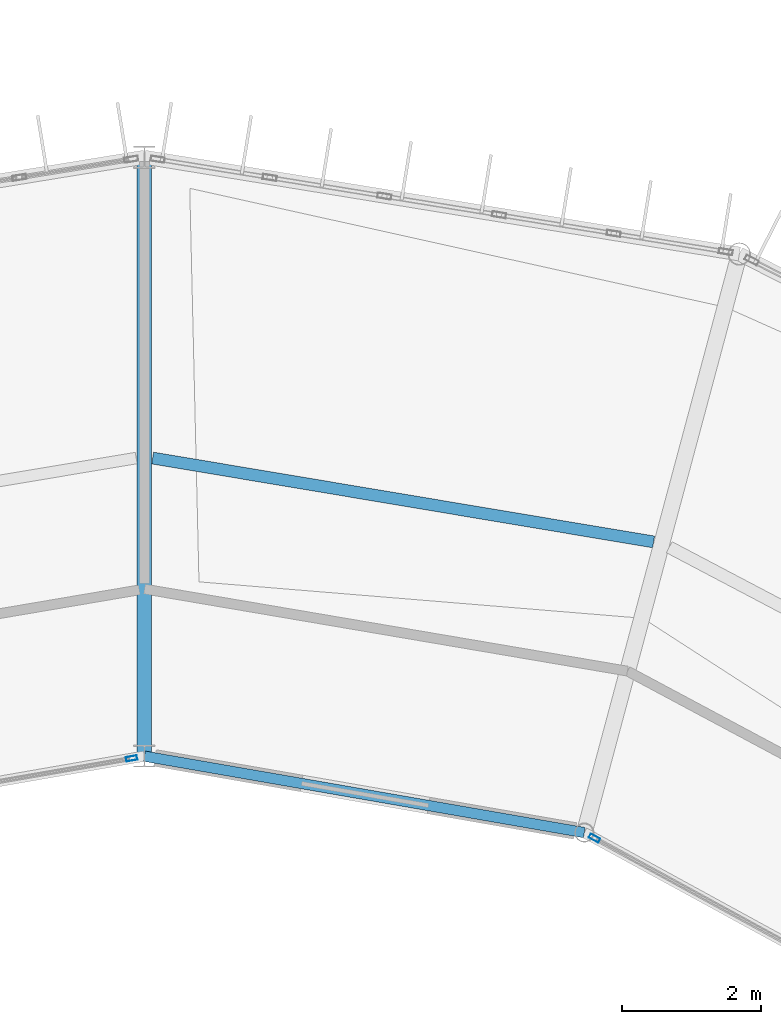
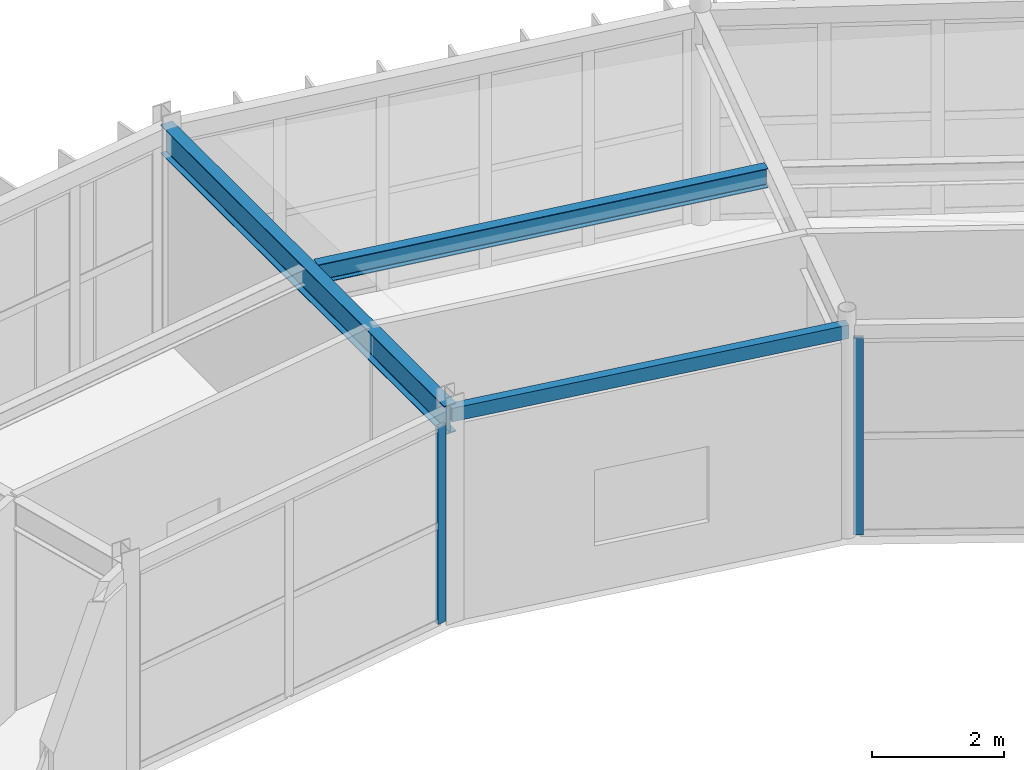
# One storey, part 86 of 148: 3 beams, 2 members, 2 elements without a shape of their own.
"""IFC4 building model written with IfcOpenShell, lengths in metres."""

from ifc_helpers import new_model, si_unit, direction, frame, origin, origin_2d, place, context, subcontext, project, spatial, hollow_rectangle, i_section, extrude, material, material_profile, profile_set, type_object, element, aggregate, save


model = new_model("IFC4")

# Units and contexts
model_context = context("Model", 3, precision=1e-05, world=origin(), true_north=direction((0.0, 1.0)))
body_context = subcontext(model_context, "Body", "Model", "MODEL_VIEW")
ifc_project = project(units=[si_unit("LENGTHUNIT", "METRE"), si_unit("AREAUNIT", "SQUARE_METRE"), si_unit("VOLUMEUNIT", "CUBIC_METRE"), si_unit("PLANEANGLEUNIT", "RADIAN"), si_unit("MASSUNIT", "GRAM", prefix="KILO")], contexts=[model_context])

# Site, building, storey
site_placement = place(None, origin())
site = spatial("IfcSite", under=ifc_project, at=site_placement, CompositionType="ELEMENT")
building_placement = place(site_placement, origin())
building = spatial("IfcBuilding", under=site, at=building_placement, Name="Karori Crest Natural Sciences Institute", CompositionType="ELEMENT")
storey_placement = place(building_placement, frame((0.0, 0.0, 4.89990234375)))
storey = spatial("IfcBuildingStorey", under=building, at=storey_placement, Name="L01", CompositionType="ELEMENT", Elevation=4.89990234375)

# Beams
ifc_material_1 = material(Name="Structural steel AS/NZS 3679.1 Grade 350", Category="steel")
ifc_material_profile_1 = material_profile(ifc_material_1, i_section(OverallWidth=0.208984375, OverallDepth=0.532958984375, WebThickness=0.01025390625, FlangeThickness=0.015625, FilletRadius=0.013916015625, at=origin_2d()), Name="530UB92.4")
ifc_profile_set_1 = profile_set([ifc_material_profile_1], Name="Structural steel AS/NZS 3679.1 Grade 350")
beam_type_1 = type_object("IfcBeamType", Name="BT-05", PredefinedType="BEAM", material=ifc_profile_set_1)
beam_1_placement = place(storey_placement, frame((66.39990234375, 82.10009765625, 3.673583984375), z_axis=(0.0, 1.0, 0.0), x_axis=(-1.0, 0.0, 0.0)))
element("IfcBeam", 1, at=beam_1_placement, inside=storey, type_object=beam_type_1, Name="Beam B-0205", PredefinedType="BEAM", context=body_context, shape_type="SweptSolid", body=[
    extrude(i_section(OverallWidth=0.208984375, OverallDepth=0.532958984375, WebThickness=0.01025390625, FlangeThickness=0.015625, FilletRadius=0.013916015625, at=origin_2d()), origin(), (0.0, 0.0, 1.0), 8.599853515625),
])
ifc_material_2 = material(Name="Hollow structural steel AS/NZS 1163 Grade C350", Category="steel")
ifc_material_profile_2 = material_profile(ifc_material_2, hollow_rectangle(XDim=0.14990234375, YDim=0.25, WallThickness=0.009033203125, at=origin_2d()), Name="RHS250x150x9")
ifc_profile_set_2 = profile_set([ifc_material_profile_2], Name="Hollow structural steel AS/NZS 1163 Grade C350")
beam_type_2 = type_object("IfcBeamType", Name="BT-16", PredefinedType="SPANDREL", material=ifc_profile_set_2)
beam_2_placement = place(storey_placement, frame((72.715087890625, 81.002685546875, 3.7900390625), z_axis=(-0.985234948316, 0.171207758638, 0.0), x_axis=(-0.171207758638, -0.985234948316, 0.0)))
element("IfcBeam", 2, at=beam_2_placement, inside=storey, type_object=beam_type_2, Name="Beam B-0200", PredefinedType="SPANDREL", context=body_context, shape_type="SweptSolid", body=[
    extrude(hollow_rectangle(XDim=0.14990234375, YDim=0.25, WallThickness=0.009033203125, at=origin_2d()), origin(), (0.0, 0.0, 1.0), 6.409912109375),
])
ifc_material_profile_3 = material_profile(ifc_material_1, i_section(OverallWidth=0.1708984375, OverallDepth=0.35595703125, WebThickness=0.00732421875, FlangeThickness=0.011474609375, FilletRadius=0.010986328125, at=origin_2d()), Name="360UB50.7")
ifc_profile_set_3 = profile_set([ifc_material_profile_3], Name="Structural steel AS/NZS 3679.1 Grade 350")
beam_type_3 = type_object("IfcBeamType", Name="BT-30", PredefinedType="BEAM", material=ifc_profile_set_3)
beam_3_placement = place(storey_placement, frame((73.709716796875, 85.176025390625, 3.76220703125), z_axis=(-0.986270575365, 0.165137373632, 0.0), x_axis=(-0.165137373632, -0.986270575365, 0.0)))
element("IfcBeam", 3, at=beam_3_placement, inside=storey, type_object=beam_type_3, Name="Beam B-0202", PredefinedType="BEAM", context=body_context, shape_type="SweptSolid", body=[
    extrude(i_section(OverallWidth=0.1708984375, OverallDepth=0.35595703125, WebThickness=0.00732421875, FlangeThickness=0.011474609375, FilletRadius=0.010986328125, at=origin_2d()), origin(), (0.0, 0.0, 1.0), 7.29150390625),
])

# Curtain wall, member
ifc_material_3 = material(Name="Anodised architectural aluminium 6063-T6", Category="aluminium")
curtain_wall_type_1 = type_object("IfcCurtainWallType", Name="CWT-15", PredefinedType="NOTDEFINED", material=ifc_material_3)
curtain_wall_1_placement = place(storey_placement, origin())
curtain_wall_1 = element("IfcCurtainWall", 4, at=curtain_wall_1_placement, inside=storey, type_object=curtain_wall_type_1, Name="Curtain wall CW-0037", PredefinedType="NOTDEFINED")
ifc_material_profile_4 = material_profile(ifc_material_3, hollow_rectangle(XDim=0.06494140625, YDim=0.159912109375, WallThickness=0.00390625, at=origin_2d()), Name="CWM160x65x4")
ifc_profile_set_4 = profile_set([ifc_material_profile_4], Name="Anodised architectural aluminium 6063-T6")
member_type = type_object("IfcMemberType", Name="CWM-01", PredefinedType="MULLION", material=ifc_profile_set_4)
member_1_placement = place(storey_placement, frame((72.86181640625, 80.922607421875, 0.0), z_axis=(0.0, 0.0, 1.0), x_axis=(-0.479643389875, -0.877463514084, 0.0)))
member_1 = element("IfcMember", 5, at=member_1_placement, type_object=member_type, Name="CW-0037 mullion 3", PredefinedType="MULLION", context=body_context, shape_type="SweptSolid", body=[
    extrude(hollow_rectangle(XDim=0.06494140625, YDim=0.159912109375, WallThickness=0.00390625, at=origin_2d()), origin(), (0.0, 0.0, 1.0), 3.650146484375),
])
aggregate(curtain_wall_1, [member_1])

curtain_wall_type_2 = type_object("IfcCurtainWallType", Name="CWT-12", PredefinedType="NOTDEFINED", material=ifc_material_3)
curtain_wall_2_placement = place(storey_placement, origin())
curtain_wall_2 = element("IfcCurtainWall", 6, at=curtain_wall_2_placement, inside=storey, type_object=curtain_wall_type_2, Name="Curtain wall CW-0040", PredefinedType="NOTDEFINED")
member_2_placement = place(storey_placement, frame((66.216552734375, 82.068115234375, 0.0), z_axis=(0.0, 0.0, 1.0), x_axis=(0.171170381048, -0.985241442821, 0.0)))
member_2 = element("IfcMember", 7, at=member_2_placement, type_object=member_type, Name="CW-0040 mullion 1", PredefinedType="MULLION", context=body_context, shape_type="SweptSolid", body=[
    extrude(hollow_rectangle(XDim=0.06494140625, YDim=0.159912109375, WallThickness=0.00390625, at=origin_2d()), origin(), (0.0, 0.0, 1.0), 3.650146484375),
])
aggregate(curtain_wall_2, [member_2])

save(model, "model.ifc")
